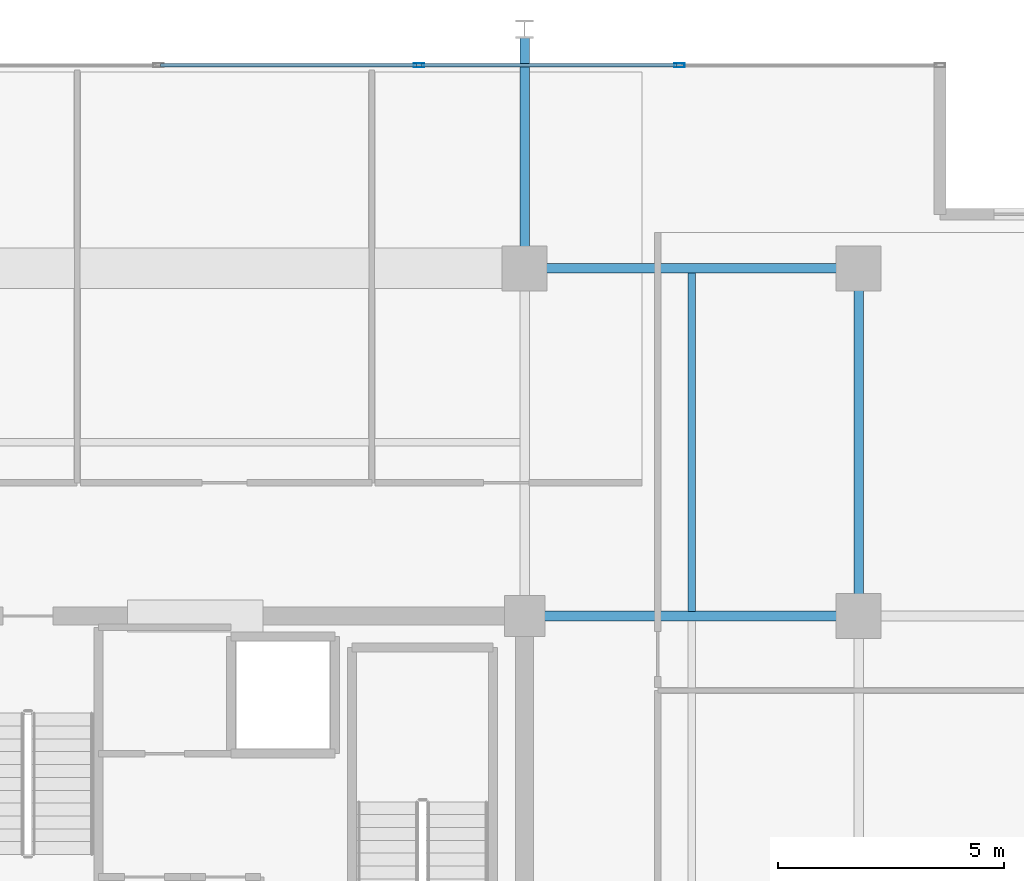
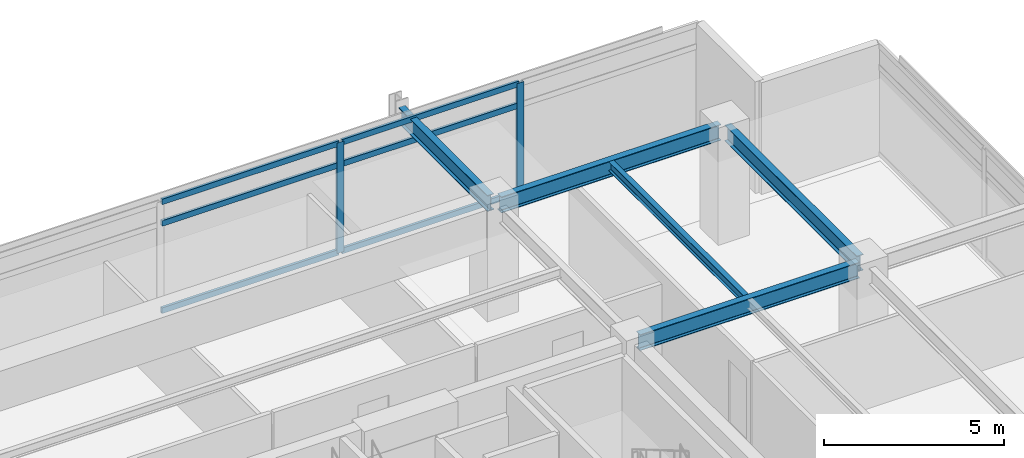
# One storey, part 10 of 20: 8 members, 5 beams, 1 element without a shape of its own.
"""IFC4 building model written with IfcOpenShell, lengths in metres."""

from ifc_helpers import new_model, si_unit, direction, frame, origin, origin_2d, place, context, subcontext, project, spatial, hollow_rectangle, i_section, extrude, material, material_profile, profile_set, type_object, element, aggregate, save


model = new_model("IFC4")

# Units and contexts
model_context = context("Model", 3, precision=1e-05, world=origin(), true_north=direction((0.0, 1.0)))
body_context = subcontext(model_context, "Body", "Model", "MODEL_VIEW")
ifc_project = project(units=[si_unit("LENGTHUNIT", "METRE"), si_unit("AREAUNIT", "SQUARE_METRE"), si_unit("VOLUMEUNIT", "CUBIC_METRE"), si_unit("PLANEANGLEUNIT", "RADIAN"), si_unit("MASSUNIT", "GRAM", prefix="KILO")], contexts=[model_context])

# Site, building, storey
site_placement = place(None, origin())
site = spatial("IfcSite", under=ifc_project, at=site_placement, CompositionType="ELEMENT")
building_placement = place(site_placement, origin())
building = spatial("IfcBuilding", under=site, at=building_placement, Name="Kovane Verandah Tower", CompositionType="ELEMENT")
storey_placement = place(building_placement, frame((0.0, 0.0, 306.800048828125)))
storey = spatial("IfcBuildingStorey", under=building, at=storey_placement, Name="L71", CompositionType="ELEMENT", Elevation=306.800048828125)

# Beams
ifc_material_1 = material(Name="Steel S355", Category="steel")
ifc_material_profile_1 = material_profile(ifc_material_1, i_section(OverallWidth=0.2119140625, OverallDepth=0.54443359375, WebThickness=0.0126953125, FlangeThickness=0.021240234375, FilletRadius=0.0126953125, at=origin_2d()), Name="UB533x210x122")
ifc_profile_set_1 = profile_set([ifc_material_profile_1], Name="Steel S355")
beam_type_1 = type_object("IfcBeamType", Name="BM-UB533x122", PredefinedType="BEAM", material=ifc_profile_set_1)
beam_1_placement = place(storey_placement, frame((51.179931640625, 44.199951171875, 3.5126953125), z_axis=(1.0, 0.0, 0.0), x_axis=(0.0, 1.0, 0.0)))
element("IfcBeam", 1, at=beam_1_placement, inside=storey, type_object=beam_type_1, Name="L71 Primary Tower Girder G-RN3", PredefinedType="BEAM", context=body_context, shape_type="SweptSolid", body=[
    extrude(i_section(OverallWidth=0.2119140625, OverallDepth=0.54443359375, WebThickness=0.0126953125, FlangeThickness=0.021240234375, FilletRadius=0.0126953125, at=origin_2d()), origin(), (0.0, 0.0, 1.0), 7.0400390625),
])
beam_2_placement = place(storey_placement, frame((58.39990234375, 36.679931640625, 3.5126953125), z_axis=(0.0, 1.0, 0.0), x_axis=(-1.0, 0.0, 0.0)))
element("IfcBeam", 2, at=beam_2_placement, inside=storey, type_object=beam_type_1, Name="L71 Primary Tower Girder G-RE3", PredefinedType="BEAM", context=body_context, shape_type="SweptSolid", body=[
    extrude(i_section(OverallWidth=0.2119140625, OverallDepth=0.54443359375, WebThickness=0.0126953125, FlangeThickness=0.021240234375, FilletRadius=0.0126953125, at=origin_2d()), origin(), (0.0, 0.0, 1.0), 7.340087890625),
])
beam_3_placement = place(storey_placement, frame((51.179931640625, 36.5, 3.5126953125), z_axis=(1.0, 0.0, 0.0), x_axis=(0.0, 1.0, 0.0)))
element("IfcBeam", 3, at=beam_3_placement, inside=storey, type_object=beam_type_1, Name="L71 Primary Tower Girder G-E2", PredefinedType="BEAM", context=body_context, shape_type="SweptSolid", body=[
    extrude(i_section(OverallWidth=0.2119140625, OverallDepth=0.54443359375, WebThickness=0.0126953125, FlangeThickness=0.021240234375, FilletRadius=0.0126953125, at=origin_2d()), origin(), (0.0, 0.0, 1.0), 7.0400390625),
])
beam_4_placement = place(storey_placement, frame((51.0, 44.3798828125, 3.48779296875), z_axis=(0.0, 1.0, 0.0), x_axis=(-1.0, 0.0, 0.0)))
element("IfcBeam", 4, at=beam_4_placement, inside=storey, type_object=beam_type_1, Name="L71 Primary Tower Girder G-VN2", PredefinedType="BEAM", context=body_context, shape_type="SweptSolid", body=[
    extrude(i_section(OverallWidth=0.2119140625, OverallDepth=0.54443359375, WebThickness=0.0126953125, FlangeThickness=0.021240234375, FilletRadius=0.0126953125, at=origin_2d()), origin(), (0.0, 0.0, 1.0), 4.940185546875),
])

# Curtain wall, members
ifc_material_2 = material(Name="Champagne Anodised Aluminium Frame with Low-E Clear Laminated Glass", Category="aluminium")
curtain_wall_type = type_object("IfcCurtainWallType", Name="CW-SYS-05-HIGH", PredefinedType="NOTDEFINED", material=ifc_material_2)
curtain_wall_placement = place(storey_placement, origin())
curtain_wall = element("IfcCurtainWall", 5, at=curtain_wall_placement, inside=storey, type_object=curtain_wall_type, Name="L71 N Unitised Curtain Wall", PredefinedType="NOTDEFINED")
ifc_material_3 = material(Name="Champagne Anodised Aluminium 6063-T6", Category="aluminium")
ifc_material_profile_2 = material_profile(ifc_material_3, hollow_rectangle(XDim=0.0849609375, YDim=0.22998046875, WallThickness=0.00390625, at=origin_2d()), Name="AL85x230x4")
ifc_profile_set_2 = profile_set([ifc_material_profile_2], Name="Champagne Anodised Aluminium 6063-T6")
member_type_1 = type_object("IfcMemberType", Name="CW-MUL-85x230", PredefinedType="MULLION", material=ifc_profile_set_2)
member_1_placement = place(storey_placement, frame((54.4287109375, 48.699951171875, 0.02001953125), z_axis=(0.0, 0.0, 1.0), x_axis=(0.0, 1.0, 0.0)))
member_1 = element("IfcMember", 6, at=member_1_placement, type_object=member_type_1, Name="L71 N Unitised Curtain Wall Mullion 2", PredefinedType="MULLION", context=body_context, shape_type="SweptSolid", body=[
    extrude(hollow_rectangle(XDim=0.0849609375, YDim=0.22998046875, WallThickness=0.00390625, at=origin_2d()), origin(), (0.0, 0.0, 1.0), 3.744873046875),
])
member_2_placement = place(storey_placement, frame((48.656982421875, 48.699951171875, 0.02001953125), z_axis=(0.0, 0.0, 1.0), x_axis=(0.0, 1.0, 0.0)))
member_2 = element("IfcMember", 7, at=member_2_placement, type_object=member_type_1, Name="L71 N Unitised Curtain Wall Mullion 3", PredefinedType="MULLION", context=body_context, shape_type="SweptSolid", body=[
    extrude(hollow_rectangle(XDim=0.0849609375, YDim=0.22998046875, WallThickness=0.00390625, at=origin_2d()), origin(), (0.0, 0.0, 1.0), 3.744873046875),
])
ifc_material_profile_3 = material_profile(ifc_material_3, hollow_rectangle(XDim=0.0849609375, YDim=0.18994140625, WallThickness=0.00390625, at=origin_2d()), Name="AL85x190x4")
ifc_profile_set_3 = profile_set([ifc_material_profile_3], Name="Champagne Anodised Aluminium 6063-T6")
member_type_2 = type_object("IfcMemberType", Name="CW-TRN-85x190", PredefinedType="USERDEFINED", material=ifc_profile_set_3)
member_3_placement = place(storey_placement, frame((54.378662109375, 48.699951171875, 0.050048828125), z_axis=(-1.0, 0.0, 0.0), x_axis=(0.0, -1.0, 0.0)))
member_3 = element("IfcMember", 8, at=member_3_placement, type_object=member_type_2, Name="L71 N Unitised Curtain Wall Transom TB Bay 2", ObjectType="TRANSOM", PredefinedType="USERDEFINED", context=body_context, shape_type="SweptSolid", body=[
    extrude(hollow_rectangle(XDim=0.0849609375, YDim=0.18994140625, WallThickness=0.00390625, at=origin_2d()), origin(), (0.0, 0.0, 1.0), 5.671630859375),
])
member_4_placement = place(storey_placement, frame((54.378662109375, 48.699951171875, 3.0048828125), z_axis=(-1.0, 0.0, 0.0), x_axis=(0.0, -1.0, 0.0)))
member_4 = element("IfcMember", 9, at=member_4_placement, type_object=member_type_2, Name="L71 N Unitised Curtain Wall Transom TM Bay 2", ObjectType="TRANSOM", PredefinedType="USERDEFINED", context=body_context, shape_type="SweptSolid", body=[
    extrude(hollow_rectangle(XDim=0.0849609375, YDim=0.18994140625, WallThickness=0.00390625, at=origin_2d()), origin(), (0.0, 0.0, 1.0), 5.671630859375),
])
member_5_placement = place(storey_placement, frame((54.378662109375, 48.699951171875, 3.73486328125), z_axis=(-1.0, 0.0, 0.0), x_axis=(0.0, -1.0, 0.0)))
member_5 = element("IfcMember", 10, at=member_5_placement, type_object=member_type_2, Name="L71 N Unitised Curtain Wall Transom TT Bay 2", ObjectType="TRANSOM", PredefinedType="USERDEFINED", context=body_context, shape_type="SweptSolid", body=[
    extrude(hollow_rectangle(XDim=0.0849609375, YDim=0.18994140625, WallThickness=0.00390625, at=origin_2d()), origin(), (0.0, 0.0, 1.0), 5.671630859375),
])
member_6_placement = place(storey_placement, frame((48.607177734375, 48.699951171875, 0.050048828125), z_axis=(-1.0, 0.0, 0.0), x_axis=(0.0, -1.0, 0.0)))
member_6 = element("IfcMember", 11, at=member_6_placement, type_object=member_type_2, Name="L71 N Unitised Curtain Wall Transom TB Bay 3", ObjectType="TRANSOM", PredefinedType="USERDEFINED", context=body_context, shape_type="SweptSolid", body=[
    extrude(hollow_rectangle(XDim=0.0849609375, YDim=0.18994140625, WallThickness=0.00390625, at=origin_2d()), origin(), (0.0, 0.0, 1.0), 5.67138671875),
])
member_7_placement = place(storey_placement, frame((48.607177734375, 48.699951171875, 3.0048828125), z_axis=(-1.0, 0.0, 0.0), x_axis=(0.0, -1.0, 0.0)))
member_7 = element("IfcMember", 12, at=member_7_placement, type_object=member_type_2, Name="L71 N Unitised Curtain Wall Transom TM Bay 3", ObjectType="TRANSOM", PredefinedType="USERDEFINED", context=body_context, shape_type="SweptSolid", body=[
    extrude(hollow_rectangle(XDim=0.0849609375, YDim=0.18994140625, WallThickness=0.00390625, at=origin_2d()), origin(), (0.0, 0.0, 1.0), 5.67138671875),
])
member_8_placement = place(storey_placement, frame((48.607177734375, 48.699951171875, 3.73486328125), z_axis=(-1.0, 0.0, 0.0), x_axis=(0.0, -1.0, 0.0)))
member_8 = element("IfcMember", 13, at=member_8_placement, type_object=member_type_2, Name="L71 N Unitised Curtain Wall Transom TT Bay 3", ObjectType="TRANSOM", PredefinedType="USERDEFINED", context=body_context, shape_type="SweptSolid", body=[
    extrude(hollow_rectangle(XDim=0.0849609375, YDim=0.18994140625, WallThickness=0.00390625, at=origin_2d()), origin(), (0.0, 0.0, 1.0), 5.67138671875),
])
aggregate(curtain_wall, [member_1, member_2, member_3, member_4, member_5, member_6, member_7, member_8])

# Beam
ifc_material_profile_4 = material_profile(ifc_material_1, i_section(OverallWidth=0.1669921875, OverallDepth=0.310302734375, WebThickness=0.0078125, FlangeThickness=0.013671875, FilletRadius=0.0087890625, at=origin_2d()), Name="UB305x165x54")
ifc_profile_set_4 = profile_set([ifc_material_profile_4], Name="Steel S355")
beam_type_2 = type_object("IfcBeamType", Name="JST-UB305x54", PredefinedType="JOIST", material=ifc_profile_set_4)
beam_5_placement = place(storey_placement, frame((54.699951171875, 36.60400390625, 3.629638671875), z_axis=(0.0, 1.0, 0.0), x_axis=(-1.0, 0.0, 0.0)))
element("IfcBeam", 14, at=beam_5_placement, inside=storey, type_object=beam_type_2, Name="L71 Secondary Composite Joist J-NE1", PredefinedType="JOIST", context=body_context, shape_type="SweptSolid", body=[
    extrude(i_section(OverallWidth=0.1669921875, OverallDepth=0.310302734375, WebThickness=0.0078125, FlangeThickness=0.013671875, FilletRadius=0.0087890625, at=origin_2d()), origin(), (0.0, 0.0, 1.0), 7.491943359375),
])

save(model, "model.ifc")
